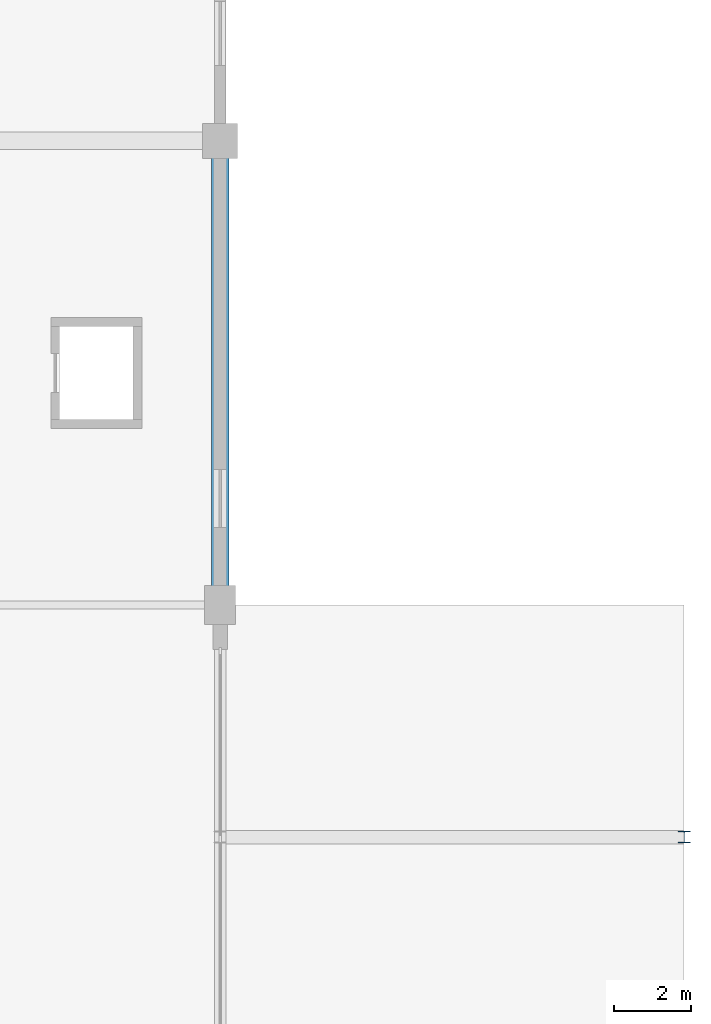
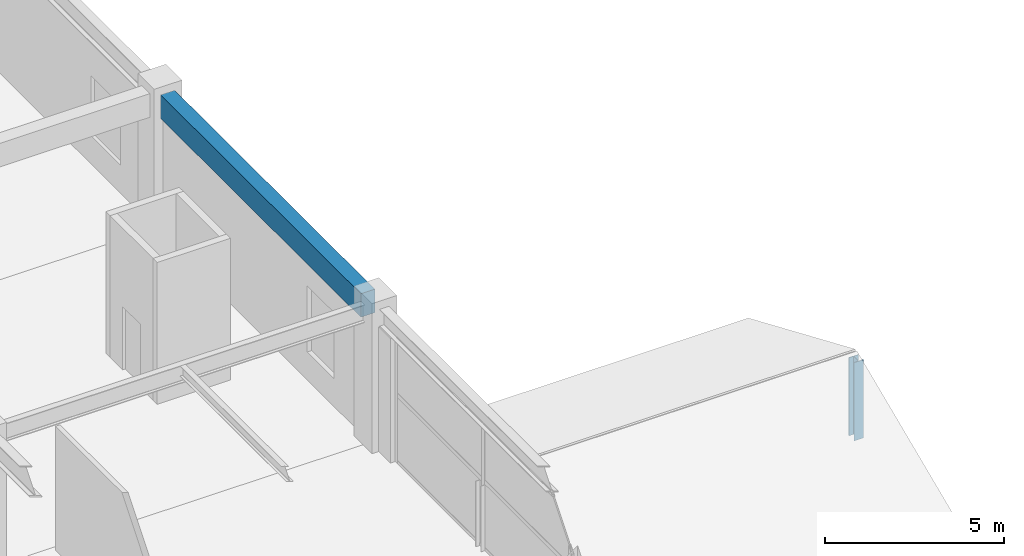
# One storey, part 44 of 116: 1 beam, 1 member.
"""IFC4 building model written with IfcOpenShell, lengths in metres."""

from ifc_helpers import new_model, si_unit, direction, frame, origin, origin_2d, place, context, subcontext, project, spatial, rectangle, i_section, extrude, material, material_profile, profile_set, type_object, element, save


model = new_model("IFC4")

# Units and contexts
model_context = context("Model", 3, precision=1e-05, world=origin(), true_north=direction((0.0, 1.0)))
body_context = subcontext(model_context, "Body", "Model", "MODEL_VIEW")
ifc_project = project(units=[si_unit("LENGTHUNIT", "METRE"), si_unit("AREAUNIT", "SQUARE_METRE"), si_unit("VOLUMEUNIT", "CUBIC_METRE"), si_unit("PLANEANGLEUNIT", "RADIAN"), si_unit("MASSUNIT", "GRAM", prefix="KILO")], contexts=[model_context])

# Site, building, storey
site_placement = place(None, origin())
site = spatial("IfcSite", under=ifc_project, at=site_placement, CompositionType="ELEMENT")
building_placement = place(site_placement, origin())
building = spatial("IfcBuilding", under=site, at=building_placement, Name="Kazenohara Klinker Stadium", CompositionType="ELEMENT")
storey_placement = place(building_placement, frame((0.0, 0.0, 10.199951171875)))
storey = spatial("IfcBuildingStorey", under=building, at=storey_placement, Name="L02", CompositionType="ELEMENT", Elevation=10.199951171875)

# Beam
ifc_material_1 = material(Name="Concrete C40/50", Category="concrete")
ifc_material_profile_1 = material_profile(ifc_material_1, rectangle(XDim=0.449951171875, YDim=0.800048828125, at=origin_2d()), Name="RC-BM-450x800")
ifc_profile_set_1 = profile_set([ifc_material_profile_1], Name="Concrete C40/50")
beam_type = type_object("IfcBeamType", Name="BM-RC03", PredefinedType="BEAM", material=ifc_profile_set_1)
beam_placement = place(storey_placement, frame((200.0, 132.419921875, 4.420166015625), z_axis=(0.0, 1.0, 0.0), x_axis=(-1.0, 0.0, 0.0)))
element("IfcBeam", 1, at=beam_placement, inside=storey, type_object=beam_type, Name="Primary girder BG03 L02 17/M-N", PredefinedType="BEAM", context=body_context, shape_type="SweptSolid", body=[
    extrude(rectangle(XDim=0.449951171875, YDim=0.800048828125, at=origin_2d()), origin(), (0.0, 0.0, 1.0), 11.16015625),
])

# Member
ifc_material_2 = material(Name="Steel S355", Category="steel")
ifc_material_profile_2 = material_profile(ifc_material_2, i_section(OverallWidth=0.300048828125, OverallDepth=0.300048828125, WebThickness=0.010009765625, FlangeThickness=0.014892578125, FilletRadius=0.012939453125, at=origin_2d()), Name="H-300x300x10x15")
ifc_profile_set_2 = profile_set([ifc_material_profile_2], Name="Steel S355")
member_type = type_object("IfcMemberType", Name="MEM-STR01", PredefinedType="STRUT", material=ifc_profile_set_2)
member_placement = place(storey_placement, frame((212.0, 126.0, -0.429931640625), z_axis=(0.0, 0.0, 1.0), x_axis=(1.0, 0.0, 0.0)))
element("IfcMember", 2, at=member_placement, inside=storey, type_object=member_type, Name="Stepped pavilion gable king-post L02 17/L E", PredefinedType="STRUT", context=body_context, shape_type="SweptSolid", body=[
    extrude(i_section(OverallWidth=0.300048828125, OverallDepth=0.300048828125, WebThickness=0.010009765625, FlangeThickness=0.014892578125, FilletRadius=0.012939453125, at=origin_2d()), origin(), (0.0, 0.0, 1.0), 2.659912109375),
])

save(model, "model.ifc")
